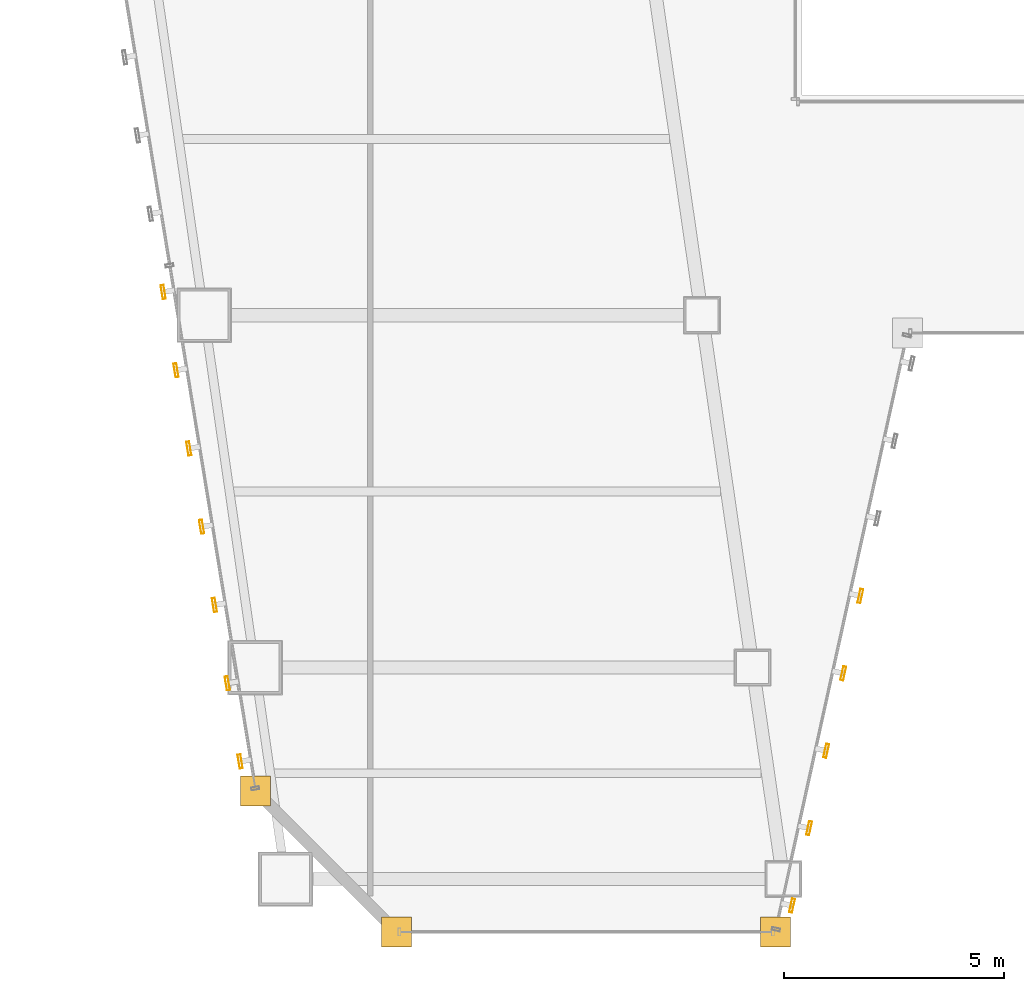
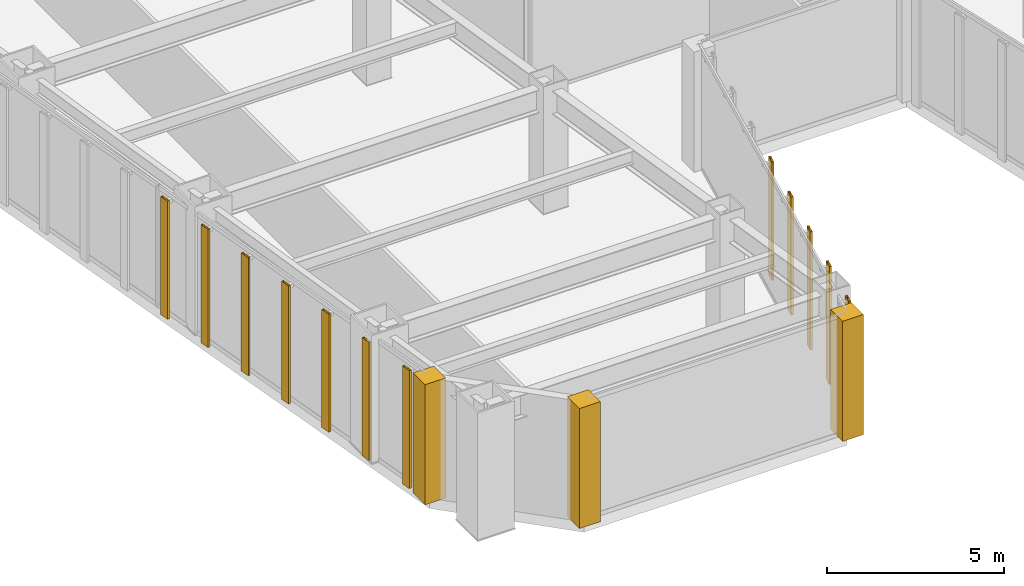
# One storey, part 41 of 49: 12 shading devices, 3 coverings.
"""IFC4 building model written with IfcOpenShell, lengths in metres."""

from ifc_helpers import new_model, si_unit, direction, frame, origin, origin_2d, place, context, subcontext, project, spatial, polyline, hollow_rectangle, outline, extrude, material, layer, layer_set, material_profile, profile_set, type_object, element, save


model = new_model("IFC4")

# Units and contexts
model_context = context("Model", 3, precision=1e-05, world=origin(), true_north=direction((0.0, 1.0)))
body_context = subcontext(model_context, "Body", "Model", "MODEL_VIEW")
ifc_project = project(units=[si_unit("LENGTHUNIT", "METRE"), si_unit("AREAUNIT", "SQUARE_METRE"), si_unit("VOLUMEUNIT", "CUBIC_METRE"), si_unit("PLANEANGLEUNIT", "RADIAN"), si_unit("MASSUNIT", "GRAM", prefix="KILO")], contexts=[model_context])

# Site, building, storey
site_placement = place(None, origin())
site = spatial("IfcSite", under=ifc_project, at=site_placement, CompositionType="ELEMENT")
building_placement = place(site_placement, origin())
building = spatial("IfcBuilding", under=site, at=building_placement, Name="Saevonmaru Cultural Tower", CompositionType="ELEMENT")
storey_placement = place(building_placement, frame((0.0, 0.0, 38.39990234375)))
storey = spatial("IfcBuildingStorey", under=building, at=storey_placement, Name="L07", CompositionType="ELEMENT", Elevation=38.39990234375)

# Coverings
ifc_material = material(Name="Satin Bronze Anodised Aluminium", Category="aluminium")
ifc_layer = layer(ifc_material, 0.679931640625, Name="Satin Bronze Anodised Aluminium")
ifc_layer_set = layer_set([ifc_layer], Name="Satin Bronze Anodised Aluminium")
covering_type = type_object("IfcCoveringType", Name="CV-CORNER-CLAD", PredefinedType="CLADDING", material=ifc_layer_set)
covering_1_placement = place(storey_placement, origin())
element("IfcCovering", 1, at=covering_1_placement, inside=storey, type_object=covering_type, Name="L07 Tower Bronze Corner Cladding Pier 1", PredefinedType="CLADDING", context=body_context, shape_type="SweptSolid", body=[
    extrude(outline(polyline([(11.4599609375, 4.860107421875), (12.139892578125, 4.860107421875), (12.139892578125, 5.5400390625), (11.4599609375, 5.5400390625), (11.4599609375, 4.860107421875)])), origin(), (0.0, 0.0, 1.0), 4.150146484375),
])
covering_2_placement = place(storey_placement, origin())
element("IfcCovering", 2, at=covering_2_placement, inside=storey, type_object=covering_type, Name="L07 Tower Bronze Corner Cladding Pier 2", PredefinedType="CLADDING", context=body_context, shape_type="SweptSolid", body=[
    extrude(outline(polyline([(14.659912109375, 1.659912109375), (15.340087890625, 1.659912109375), (15.340087890625, 2.340087890625), (14.659912109375, 2.340087890625), (14.659912109375, 1.659912109375)])), origin(), (0.0, 0.0, 1.0), 4.150146484375),
])
covering_3_placement = place(storey_placement, origin())
element("IfcCovering", 3, at=covering_3_placement, inside=storey, type_object=covering_type, Name="L07 Tower Bronze Corner Cladding Pier 3", PredefinedType="CLADDING", context=body_context, shape_type="SweptSolid", body=[
    extrude(outline(polyline([(23.260009765625, 1.659912109375), (23.93994140625, 1.659912109375), (23.93994140625, 2.340087890625), (23.260009765625, 2.340087890625), (23.260009765625, 1.659912109375)])), origin(), (0.0, 0.0, 1.0), 4.150146484375),
])

# Shading devices
ifc_material_profile = material_profile(ifc_material, hollow_rectangle(XDim=0.070068359375, YDim=0.320068359375, WallThickness=0.0048828125, at=origin_2d()), Name="FIN-320x70")
ifc_profile_set = profile_set([ifc_material_profile], Name="Satin Bronze Anodised Aluminium")
shading_device_type = type_object("IfcShadingDeviceType", Name="SHD-FIN-320", PredefinedType="JALOUSIE", material=ifc_profile_set)
for number, where, z_axis, x_axis, name in (
    (4, (23.977294921875, 2.59619140625, 0.050048828125), (0.0, 0.0, 1.0), (0.976522126798, -0.215417120661, 0.0), "L07 Art Deco Sawtooth Bronze Fin E3-01"),
    (5, (24.364990234375, 4.35400390625, 0.050048828125), (0.0, 0.0, 1.0), (0.976522126798, -0.215417120661, 0.0), "L07 Art Deco Sawtooth Bronze Fin E3-02"),
    (6, (24.752685546875, 6.11181640625, 0.050048828125), (0.0, 0.0, 1.0), (0.976522126798, -0.215417120661, 0.0), "L07 Art Deco Sawtooth Bronze Fin E3-03"),
    (7, (25.140380859375, 7.869384765625, 0.050048828125), (0.0, 0.0, 1.0), (0.976522126798, -0.215417120661, 0.0), "L07 Art Deco Sawtooth Bronze Fin E3-04"),
    (8, (25.5283203125, 9.627197265625, 0.050048828125), (0.0, 0.0, 1.0), (0.976522126798, -0.215417120661, 0.0), "L07 Art Deco Sawtooth Bronze Fin E3-05"),
    (9, (9.70068359375, 16.527099609375, 0.050048828125), (0.0, 0.0, 1.0), (-0.986827496189, -0.161776057456, 0.0), "L07 Art Deco Sawtooth Bronze Fin E12-21"),
    (10, (9.99169921875, 14.750732421875, 0.050048828125), (0.0, 0.0, 1.0), (-0.986827496189, -0.161776057456, 0.0), "L07 Art Deco Sawtooth Bronze Fin E12-22"),
    (11, (10.28271484375, 12.974365234375, 0.050048828125), (0.0, 0.0, 1.0), (-0.986827496189, -0.161776057456, 0.0), "L07 Art Deco Sawtooth Bronze Fin E12-23"),
    (12, (10.573974609375, 11.197998046875, 0.050048828125), (0.0, 0.0, 1.0), (-0.986827496189, -0.161776057456, 0.0), "L07 Art Deco Sawtooth Bronze Fin E12-24"),
    (13, (10.864990234375, 9.421875, 0.050048828125), (0.0, 0.0, 1.0), (-0.986827496189, -0.161776057456, 0.0), "L07 Art Deco Sawtooth Bronze Fin E12-25"),
    (14, (11.156005859375, 7.6455078125, 0.050048828125), (0.0, 0.0, 1.0), (-0.986827496189, -0.161776057456, 0.0), "L07 Art Deco Sawtooth Bronze Fin E12-26"),
    (15, (11.447021484375, 5.869140625, 0.050048828125), (0.0, 0.0, 1.0), (-0.986827496189, -0.161776057456, 0.0), "L07 Art Deco Sawtooth Bronze Fin E12-27"),
):
    element("IfcShadingDevice", number, at=place(storey_placement, frame(where, z_axis=z_axis, x_axis=x_axis)), inside=storey, type_object=shading_device_type, Name=name, PredefinedType="JALOUSIE", context=body_context, shape_type="SweptSolid", body=[
        extrude(hollow_rectangle(XDim=0.070068359375, YDim=0.320068359375, WallThickness=0.0048828125, at=origin_2d()), origin(), (0.0, 0.0, 1.0), 4.080078125),
    ])

save(model, "model.ifc")
